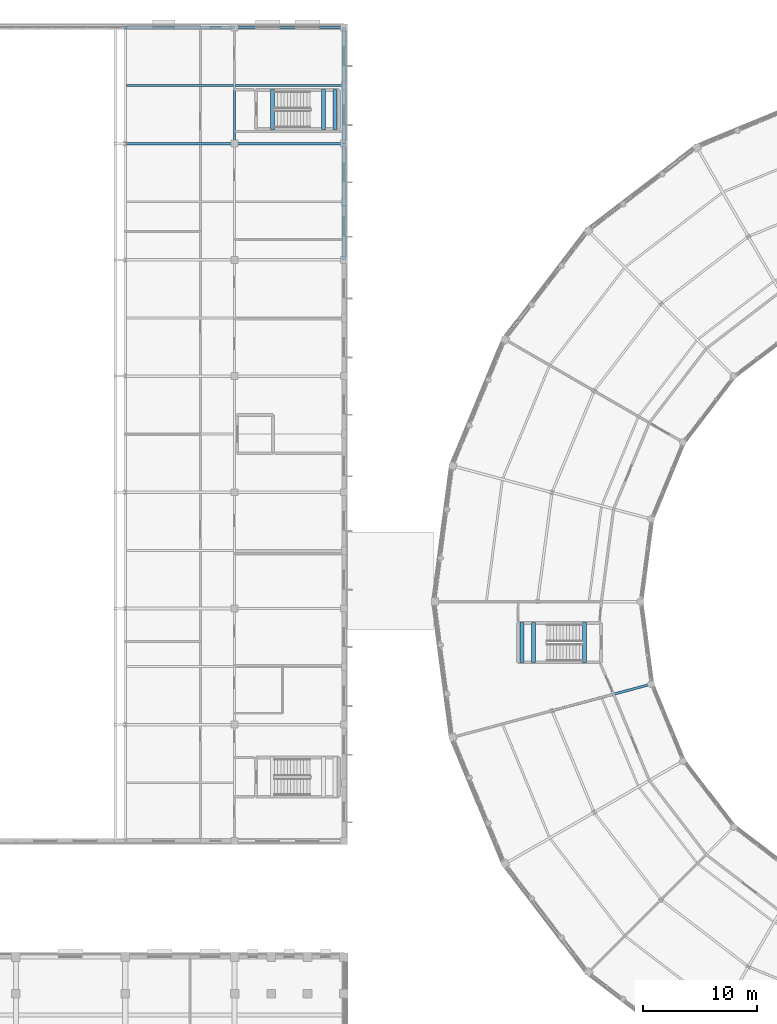
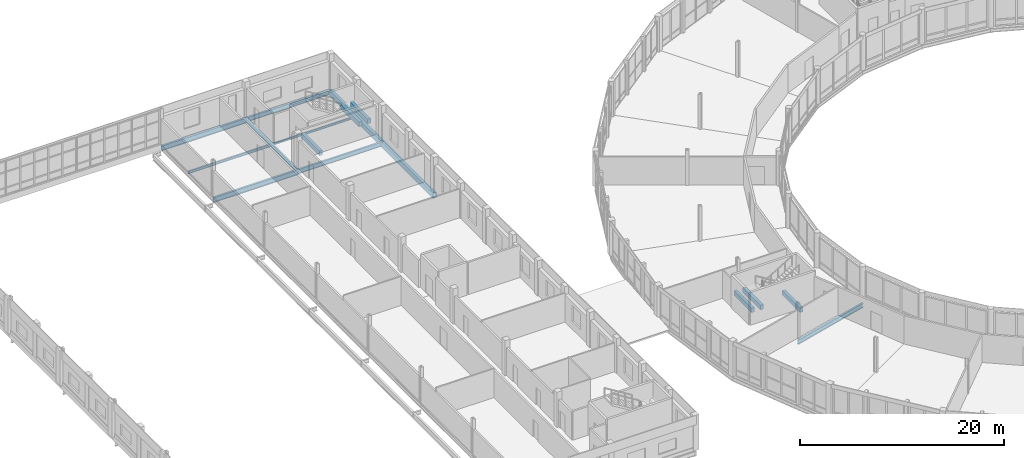
# One storey, part 62 of 170: 16 beams.
"""IFC4 building model written with IfcOpenShell, lengths in metres."""

import ifcopenshell
import ifcopenshell.guid

model = None  # the IFC model being written
_history = None  # IfcOwnerHistory: only IFC2X3 demands one
_inside = {}  # id of a spatial element -> (the spatial element, [elements in it])
_under = {}  # id of a project, library or spatial element -> (it, [spatial elements below it])
_declared = {}  # id of a project -> (the project, [libraries it declares])
_typed = {}  # id of a type object -> (the type object, [elements of that type])
_made_of = {}  # id of a material, layer set ... -> (it, [elements and type objects made of it])


def new_model(schema):
    """Start an empty IFC model of exactly this schema.

    Asked for "IFC4X3", IfcOpenShell would pick the latest addendum, in which some entities
    have other attributes; the version numbers below select the first issue.
    IFC2X3 requires an IfcOwnerHistory on every rooted entity: one is made here for all.
    """
    global model, _history
    if schema == "IFC4X3":
        model = ifcopenshell.file(schema_version=(4, 3, 0, 0))
    else:
        model = ifcopenshell.file(schema=schema)
    _inside.clear()
    _under.clear()
    _declared.clear()
    _typed.clear()
    _made_of.clear()
    _history = None
    if model.schema == "IFC2X3":
        org = make("IfcOrganization", Name="unknown")
        user = make(
            "IfcPersonAndOrganization",
            ThePerson=make("IfcPerson", FamilyName="unknown"),
            TheOrganization=org,
        )
        app = make(
            "IfcApplication",
            ApplicationDeveloper=org,
            Version="unknown",
            ApplicationFullName="unknown",
            ApplicationIdentifier="unknown",
        )
        _history = make(
            "IfcOwnerHistory",
            OwningUser=user,
            OwningApplication=app,
            ChangeAction="ADDED",
            CreationDate=0,
        )
    return model


def make(cls, **values):
    """One entity of the class cls with the attributes given. An attribute that is None is left unset."""
    return model.create_entity(
        cls, **{name: value for name, value in values.items() if value is not None}
    )


def rooted(cls, **values):
    """An entity with a GlobalId (a new one), such as an element, a storey or a relation."""
    return make(cls, GlobalId=ifcopenshell.guid.new(), OwnerHistory=_history, **values)


def si_unit(unit_type, name, prefix=None):
    """IfcSIUnit, for example si_unit("LENGTHUNIT", "METRE", prefix="MILLI")."""
    return make("IfcSIUnit", UnitType=unit_type, Prefix=prefix, Name=name)


def assignment(units):
    """IfcUnitAssignment: the units of a project."""
    return None if units is None else make("IfcUnitAssignment", Units=units)


def point(xyz):
    """IfcCartesianPoint."""
    return None if xyz is None else make("IfcCartesianPoint", Coordinates=xyz)


def direction(xyz):
    """IfcDirection."""
    return None if xyz is None else make("IfcDirection", DirectionRatios=xyz)


def frame(location, z_axis=None, x_axis=None):
    """IfcAxis2Placement3D, a coordinate frame: its origin and axes. An axis left out is left unset."""
    return make(
        "IfcAxis2Placement3D",
        Location=point(location),
        Axis=direction(z_axis),
        RefDirection=direction(x_axis),
    )


def frame_2d(location, x_axis=None):
    """IfcAxis2Placement2D, a coordinate frame in the plane: its origin and x axis."""
    return make(
        "IfcAxis2Placement2D", Location=point(location), RefDirection=direction(x_axis)
    )


def origin():
    """The frame at (0, 0, 0) with its axes left unset."""
    return frame((0.0, 0.0, 0.0))


def origin_2d():
    """The frame at (0, 0) in the plane with its x axis left unset."""
    return frame_2d((0.0, 0.0))


def place(relative_to, where):
    """IfcLocalPlacement: puts the frame where relative to a parent placement (None: the world)."""
    return make(
        "IfcLocalPlacement", PlacementRelTo=relative_to, RelativePlacement=where
    )


def context(
    kind, dimensions, precision=None, world=None, true_north=None, identifier=None
):
    """IfcGeometricRepresentationContext, for example the 3D "Model" context."""
    return make(
        "IfcGeometricRepresentationContext",
        ContextIdentifier=identifier,
        ContextType=kind,
        CoordinateSpaceDimension=dimensions,
        Precision=precision,
        WorldCoordinateSystem=world,
        TrueNorth=true_north,
    )


def subcontext(parent, identifier, kind, view, scale=None):
    """IfcGeometricRepresentationSubContext, for example "Body" below "Model"."""
    return make(
        "IfcGeometricRepresentationSubContext",
        ContextIdentifier=identifier,
        ContextType=kind,
        ParentContext=parent,
        TargetScale=scale,
        TargetView=view,
    )


def project(units=None, contexts=None):
    """IfcProject with its units and contexts."""
    return rooted(
        "IfcProject",
        Name="project",
        RepresentationContexts=contexts,
        UnitsInContext=assignment(units),
    )


def spatial(cls, under=None, at=None, **own):
    """A site, building, storey or space (cls), placed at a placement, below another one or the project."""
    s = rooted(cls, ObjectPlacement=at, **own)
    if under is not None:
        _under.setdefault(under.id(), (under, []))[1].append(s)
    return s


def profile(cls, at=None, kind="AREA", **sizes):
    """A parametric profile (cls). Its sizes go by their IFC names, for example OverallWidth=200.0."""
    return make(cls, ProfileType=kind, Position=at, **sizes)


def rectangle(**sizes):
    """IfcRectangleProfileDef."""
    return profile("IfcRectangleProfileDef", **sizes)


def i_section(**sizes):
    """IfcIShapeProfileDef."""
    return profile("IfcIShapeProfileDef", **sizes)


def extrude(swept, where, along, depth):
    """IfcExtrudedAreaSolid: the profile swept, set in the frame where, extruded along a direction by depth."""
    return make(
        "IfcExtrudedAreaSolid",
        SweptArea=swept,
        Position=where,
        ExtrudedDirection=direction(along),
        Depth=depth,
    )


def shape(context_of_items, identifier, shape_type, items):
    """IfcShapeRepresentation: the items that make up one representation, for example the "Body"."""
    return make(
        "IfcShapeRepresentation",
        ContextOfItems=context_of_items,
        RepresentationIdentifier=identifier,
        RepresentationType=shape_type,
        Items=items,
    )


def material(Name=None, Category=None):
    """IfcMaterial."""
    return make("IfcMaterial", Name=Name, Category=Category)


def material_profile(
    of_material, cross_section, Name=None, Category=None, Priority=None
):
    """IfcMaterialProfile: a cross section and its material."""
    return make(
        "IfcMaterialProfile",
        Name=Name,
        Material=of_material,
        Profile=cross_section,
        Priority=Priority,
        Category=Category,
    )


def profile_set(profiles, Name=None, composite=None):
    """IfcMaterialProfileSet."""
    return make(
        "IfcMaterialProfileSet",
        Name=Name,
        MaterialProfiles=profiles,
        CompositeProfile=composite,
    )


def made_of(thing, what):
    """Note that an element or type object is made of a material, layer set ...; save() writes the relation."""
    if what is not None:
        _made_of.setdefault(what.id(), (what, []))[1].append(thing)
    return thing


def type_object(cls, material=None, **own):
    """A type object (cls), such as IfcWallType, which elements share."""
    return made_of(rooted(cls, **own), material)


def element(
    cls,
    number,
    at=None,
    inside=None,
    cuts=None,
    type_object=None,
    material=None,
    context=None,
    identifier="Body",
    shape_type=None,
    held_by="IfcProductDefinitionShape",
    body=None,
    shapes=None,
    **own,
):
    """One element of the class cls, such as IfcWall. Its Tag is "e" and its number.

    at: its placement. inside: the storey or other place that contains it. cuts: it is an
    opening in that element (IfcRelVoidsElement). A single representation is given by context,
    identifier, shape_type and body (its items); several are given by shapes. held_by: the class
    of the entity that holds the representations. save() writes the other relations.
    """
    e = rooted(cls, Tag="e%d" % number, ObjectPlacement=at, **own)
    if body is not None:
        shapes = [shape(context, identifier, shape_type, body)]
    if shapes is not None:
        e.Representation = make(held_by, Representations=shapes)
    if inside is not None:
        _inside.setdefault(inside.id(), (inside, []))[1].append(e)
    if cuts is not None:
        rooted(
            "IfcRelVoidsElement", RelatingBuildingElement=cuts, RelatedOpeningElement=e
        )
    if type_object is not None:
        _typed.setdefault(type_object.id(), (type_object, []))[1].append(e)
    return made_of(e, material)


def aggregate(whole, parts):
    """IfcRelAggregates: a whole, such as a stair, and the parts it consists of."""
    return rooted("IfcRelAggregates", RelatingObject=whole, RelatedObjects=parts)


def save(model, path):
    """Write the relations noted so far, then the file.

    IfcRelAggregates (storeys below a building ...), IfcRelContainedInSpatialStructure (elements
    in a storey), IfcRelDefinesByType, IfcRelAssociatesMaterial and IfcRelDeclares: one each for
    every whole, place, type object, material and project.
    """
    for whole, parts in _under.values():
        aggregate(whole, parts)
    for where, things in _inside.values():
        rooted(
            "IfcRelContainedInSpatialStructure",
            RelatedElements=things,
            RelatingStructure=where,
        )
    for kind, things in _typed.values():
        rooted("IfcRelDefinesByType", RelatedObjects=things, RelatingType=kind)
    for what, things in _made_of.values():
        rooted("IfcRelAssociatesMaterial", RelatedObjects=things, RelatingMaterial=what)
    for by, libraries in _declared.values():
        rooted("IfcRelDeclares", RelatingContext=by, RelatedDefinitions=libraries)
    model.write(path)


model = new_model("IFC4")

# Units and contexts
model_context = context("Model", 3, precision=1e-05, world=origin(), true_north=direction((0.0, 1.0)))
body_context = subcontext(model_context, "Body", "Model", "MODEL_VIEW")
ifc_project = project(units=[si_unit("LENGTHUNIT", "METRE"), si_unit("AREAUNIT", "SQUARE_METRE"), si_unit("VOLUMEUNIT", "CUBIC_METRE"), si_unit("PLANEANGLEUNIT", "RADIAN"), si_unit("MASSUNIT", "GRAM", prefix="KILO")], contexts=[model_context])

# Site, building, storey
site_placement = place(None, origin())
site = spatial("IfcSite", under=ifc_project, at=site_placement, CompositionType="ELEMENT")
building_placement = place(site_placement, origin())
building = spatial("IfcBuilding", under=site, at=building_placement, Name="Vondelvale Polytechnic", CompositionType="ELEMENT")
storey_placement = place(building_placement, frame((0.0, 0.0, 5.39990234375)))
storey = spatial("IfcBuildingStorey", under=building, at=storey_placement, Name="L01", CompositionType="ELEMENT", Elevation=5.39990234375)

# Beams
ifc_material_1 = material(Name="Concrete N40 (f'c = 40 MPa)", Category="concrete")
ifc_material_profile_1 = material_profile(ifc_material_1, rectangle(XDim=0.35009765625, YDim=0.550048828125, at=origin_2d()), Name="RC-BM-350x550")
ifc_profile_set_1 = profile_set([ifc_material_profile_1], Name="Concrete N40 (f'c = 40 MPa)")
beam_type_1 = type_object("IfcBeamType", Name="BM-RC350x550", PredefinedType="BEAM", material=ifc_profile_set_1)
for number, where, z_axis, x_axis, name in (
    (1, (46.199951171875, 113.449951171875, 1.625), (0.0, 1.0, 0.0), (-1.0, 0.0, 0.0), "L01 STLD B-06"),
    (2, (47.199951171875, 113.449951171875, 1.625), (0.0, 1.0, 0.0), (-1.0, 0.0, 0.0), "L01 STLD B-06"),
    (3, (41.72509765625, 113.449951171875, -0.27490234375), (0.0, 1.0, 0.0), (-1.0, 0.0, 0.0), "L01 STHD B-06"),
    (4, (64.64990234375, 70.14990234375, 1.625), (0.0, -1.0, 0.0), (1.0, 0.0, 0.0), "L01 STLD B-06"),
    (5, (63.64990234375, 70.14990234375, 1.625), (0.0, -1.0, 0.0), (1.0, 0.0, 0.0), "L01 STLD B-06"),
    (6, (69.125, 70.14990234375, -0.27490234375), (0.0, -1.0, 0.0), (1.0, 0.0, 0.0), "L01 STHD B-06"),
):
    element("IfcBeam", number, at=place(storey_placement, frame(where, z_axis=z_axis, x_axis=x_axis)), inside=storey, type_object=beam_type_1, Name=name, PredefinedType="BEAM", context=body_context, shape_type="SweptSolid", body=[
        extrude(rectangle(XDim=0.35009765625, YDim=0.550048828125, at=origin_2d()), origin(), (0.0, 0.0, 1.0), 3.5),
    ])
ifc_material_2 = material(Name="Steel 300PLUS (fy = 300 MPa)", Category="steel")
ifc_material_profile_2 = material_profile(ifc_material_2, i_section(OverallWidth=0.18994140625, OverallDepth=0.45703125, WebThickness=0.009033203125, FlangeThickness=0.014404296875, FilletRadius=0.011474609375, at=origin_2d()), Name="460UB74.6")
ifc_profile_set_2 = profile_set([ifc_material_profile_2], Name="Steel 300PLUS (fy = 300 MPa)")
beam_type_2 = type_object("IfcBeamType", Name="BM-UB460", PredefinedType="BEAM", material=ifc_profile_set_2)
beam_1_placement = place(storey_placement, frame((38.39990234375, 112.199951171875, -0.50830078125), z_axis=(0.0, 1.0, 0.0), x_axis=(-1.0, 0.0, 0.0)))
element("IfcBeam", 7, at=beam_1_placement, inside=storey, type_object=beam_type_2, Name="L01 B B-13", PredefinedType="BEAM", context=body_context, shape_type="SweptSolid", body=[
    extrude(i_section(OverallWidth=0.18994140625, OverallDepth=0.45703125, WebThickness=0.009033203125, FlangeThickness=0.014404296875, FilletRadius=0.011474609375, at=origin_2d()), origin(), (0.0, 0.0, 1.0), 10.199951171875),
])
ifc_material_profile_3 = material_profile(ifc_material_2, i_section(OverallWidth=0.208984375, OverallDepth=0.532958984375, WebThickness=0.01025390625, FlangeThickness=0.015625, FilletRadius=0.013916015625, at=origin_2d()), Name="530UB92.4")
ifc_profile_set_3 = profile_set([ifc_material_profile_3], Name="Steel 300PLUS (fy = 300 MPa)")
beam_type_3 = type_object("IfcBeamType", Name="BM-UB530", PredefinedType="BEAM", material=ifc_profile_set_3)
beam_2_placement = place(storey_placement, frame((74.9541015625, 64.753173828125, -0.54638671875), z_axis=(-0.965919958881, -0.258840941576, 0.0), x_axis=(0.258840941576, -0.965919958881, 0.0)))
element("IfcBeam", 8, at=beam_2_placement, inside=storey, type_object=beam_type_3, Name="L01 RG B-11", PredefinedType="BEAM", context=body_context, shape_type="SweptSolid", body=[
    extrude(i_section(OverallWidth=0.208984375, OverallDepth=0.532958984375, WebThickness=0.01025390625, FlangeThickness=0.015625, FilletRadius=0.013916015625, at=origin_2d()), origin(), (0.0, 0.0, 1.0), 9.0),
])
ifc_material_profile_4 = material_profile(ifc_material_2, i_section(OverallWidth=0.208984375, OverallDepth=0.528076171875, WebThickness=0.009521484375, FlangeThickness=0.01318359375, FilletRadius=0.013916015625, at=origin_2d()), Name="530UB82.0")
ifc_profile_set_4 = profile_set([ifc_material_profile_4], Name="Steel 300PLUS (fy = 300 MPa)")
beam_type_4 = type_object("IfcBeamType", Name="BM-UB530L", PredefinedType="BEAM", material=ifc_profile_set_4)
for number, where, z_axis, x_axis, name in (
    (9, (38.39990234375, 112.199951171875, -0.5439453125), (1.0, 0.0, 0.0), (0.0, 1.0, 0.0), "L01 B B-21"),
    (10, (38.39990234375, 122.39990234375, -0.5439453125), (1.0, 0.0, 0.0), (0.0, 1.0, 0.0), "L01 B B-21"),
):
    element("IfcBeam", number, at=place(storey_placement, frame(where, z_axis=z_axis, x_axis=x_axis)), inside=storey, type_object=beam_type_4, Name=name, PredefinedType="BEAM", context=body_context, shape_type="SweptSolid", body=[
        extrude(i_section(OverallWidth=0.208984375, OverallDepth=0.528076171875, WebThickness=0.009521484375, FlangeThickness=0.01318359375, FilletRadius=0.013916015625, at=origin_2d()), origin(), (0.0, 0.0, 1.0), 9.60009765625),
    ])
ifc_material_profile_5 = material_profile(ifc_material_2, i_section(OverallWidth=0.22802734375, OverallDepth=0.60693359375, WebThickness=0.01123046875, FlangeThickness=0.017333984375, FilletRadius=0.013916015625, at=origin_2d()), Name="610UB113")
ifc_profile_set_5 = profile_set([ifc_material_profile_5], Name="Steel 300PLUS (fy = 300 MPa)")
beam_type_5 = type_object("IfcBeamType", Name="BM-UB610M", PredefinedType="BEAM", material=ifc_profile_set_5)
for number, where, z_axis, x_axis, name in (
    (11, (28.800048828125, 112.199951171875, -0.58349609375), (1.0, 0.0, 0.0), (0.0, 1.0, 0.0), "L01 B B-20"),
    (12, (28.800048828125, 122.39990234375, -0.58349609375), (1.0, 0.0, 0.0), (0.0, 1.0, 0.0), "L01 B B-20"),
):
    element("IfcBeam", number, at=place(storey_placement, frame(where, z_axis=z_axis, x_axis=x_axis)), inside=storey, type_object=beam_type_5, Name=name, PredefinedType="BEAM", context=body_context, shape_type="SweptSolid", body=[
        extrude(i_section(OverallWidth=0.22802734375, OverallDepth=0.60693359375, WebThickness=0.01123046875, FlangeThickness=0.017333984375, FilletRadius=0.013916015625, at=origin_2d()), origin(), (0.0, 0.0, 1.0), 9.599853515625),
    ])
ifc_material_profile_6 = material_profile(ifc_material_2, i_section(OverallWidth=0.14599609375, OverallDepth=0.251953125, WebThickness=0.006103515625, FlangeThickness=0.008544921875, FilletRadius=0.0087890625, at=origin_2d()), Name="250UB31.4")
ifc_profile_set_6 = profile_set([ifc_material_profile_6], Name="Steel 300PLUS (fy = 300 MPa)")
beam_type_6 = type_object("IfcBeamType", Name="JST-UB250M", PredefinedType="JOIST", material=ifc_profile_set_6)
beam_3_placement = place(storey_placement, frame((38.5, 117.300048828125, -0.406005859375), z_axis=(1.0, 0.0, 0.0), x_axis=(0.0, 1.0, 0.0)))
element("IfcBeam", 13, at=beam_3_placement, inside=storey, type_object=beam_type_6, Name="L01 J J-07", PredefinedType="JOIST", context=body_context, shape_type="SweptSolid", body=[
    extrude(i_section(OverallWidth=0.14599609375, OverallDepth=0.251953125, WebThickness=0.006103515625, FlangeThickness=0.008544921875, FilletRadius=0.0087890625, at=origin_2d()), origin(), (0.0, 0.0, 1.0), 9.320068359375),
])
ifc_material_profile_7 = material_profile(ifc_material_2, i_section(OverallWidth=0.1650390625, OverallDepth=0.303955078125, WebThickness=0.006103515625, FlangeThickness=0.01025390625, FilletRadius=0.011474609375, at=origin_2d()), Name="310UB40.4")
ifc_profile_set_7 = profile_set([ifc_material_profile_7], Name="Steel 300PLUS (fy = 300 MPa)")
beam_type_7 = type_object("IfcBeamType", Name="JST-UB310", PredefinedType="JOIST", material=ifc_profile_set_7)
beam_4_placement = place(storey_placement, frame((28.89990234375, 117.300048828125, -0.431884765625), z_axis=(1.0, 0.0, 0.0), x_axis=(0.0, 1.0, 0.0)))
element("IfcBeam", 14, at=beam_4_placement, inside=storey, type_object=beam_type_7, Name="L01 J J-05", PredefinedType="JOIST", context=body_context, shape_type="SweptSolid", body=[
    extrude(i_section(OverallWidth=0.1650390625, OverallDepth=0.303955078125, WebThickness=0.006103515625, FlangeThickness=0.01025390625, FilletRadius=0.011474609375, at=origin_2d()), origin(), (0.0, 0.0, 1.0), 9.400146484375),
])
ifc_material_3 = material(Name="Precast concrete N40 (f'c = 40 MPa)", Category="concrete")
ifc_material_profile_8 = material_profile(ifc_material_3, rectangle(XDim=0.35009765625, YDim=0.64990234375, at=origin_2d()), Name="RC-SPN-350x650")
ifc_profile_set_8 = profile_set([ifc_material_profile_8], Name="Precast concrete N40 (f'c = 40 MPa)")
beam_type_8 = type_object("IfcBeamType", Name="SPN-PRE350x650", PredefinedType="SPANDREL", material=ifc_profile_set_8)
for number, where, z_axis, x_axis, name in (
    (15, (48.0, 102.0, -0.60498046875), (0.0, 1.0, 0.0), (-1.0, 0.0, 0.0), "L01 B SP-02"),
    (16, (48.0, 112.199951171875, -0.60498046875), (0.0, 1.0, 0.0), (-1.0, 0.0, 0.0), "L01 B SP-02"),
):
    element("IfcBeam", number, at=place(storey_placement, frame(where, z_axis=z_axis, x_axis=x_axis)), inside=storey, type_object=beam_type_8, Name=name, PredefinedType="SPANDREL", context=body_context, shape_type="SweptSolid", body=[
        extrude(rectangle(XDim=0.35009765625, YDim=0.64990234375, at=origin_2d()), origin(), (0.0, 0.0, 1.0), 10.199951171875),
    ])

save(model, "model.ifc")
